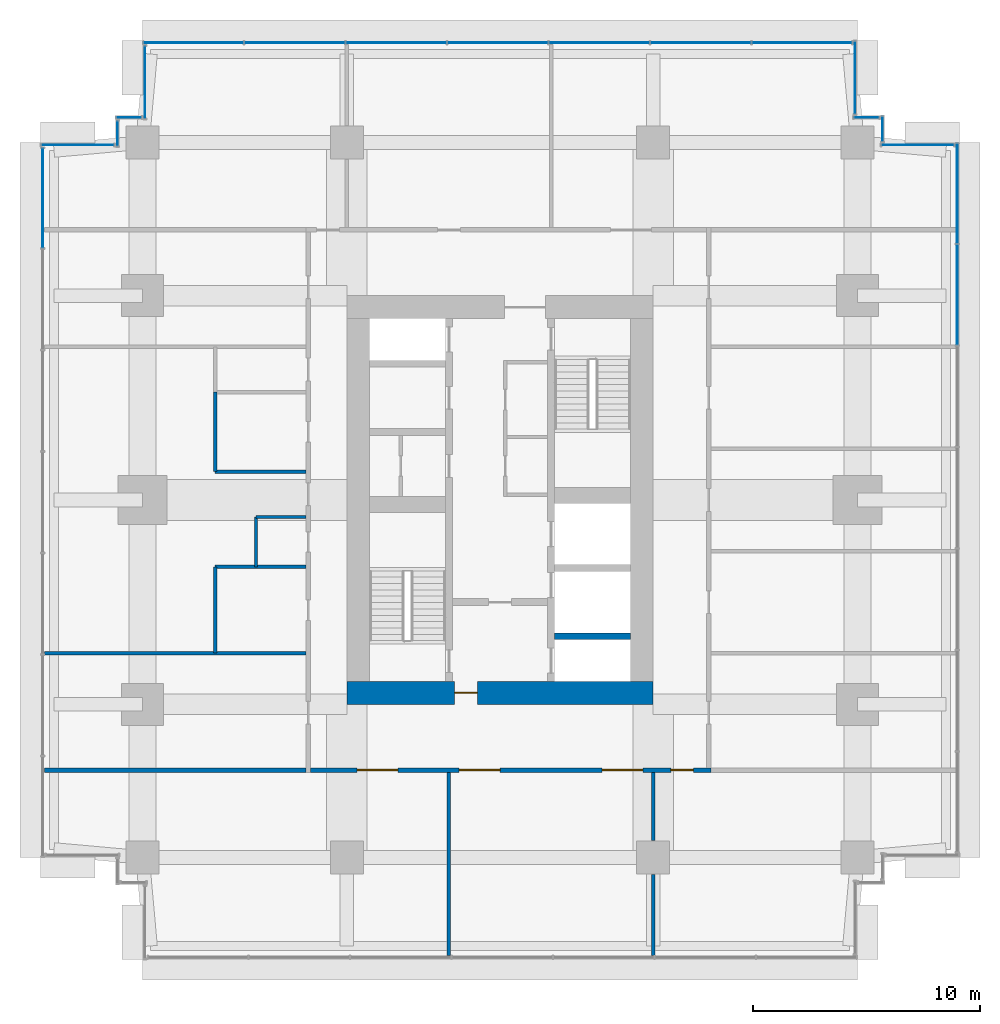
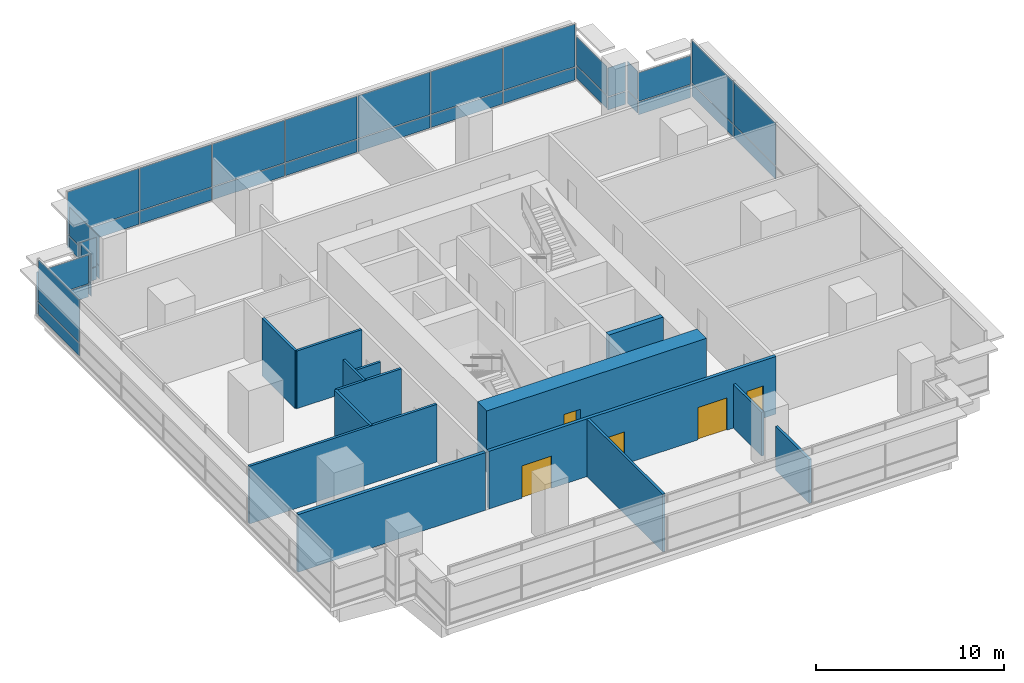
# One storey, part 11 of 14: 36 plates, 14 walls, 5 doors, 5 openings, 11 elements without a shape of their own.
"""IFC4 building model written with IfcOpenShell, lengths in metres."""

from ifc_helpers import new_model, si_unit, direction, frame, frame_2d, origin, origin_2d, place, context, subcontext, project, spatial, rectangle, extrude, material, layer, layer_set, type_object, element, fill, aggregate, save


model = new_model("IFC4")

# Units and contexts
model_context = context("Model", 3, precision=1e-05, world=origin(), true_north=direction((0.0, 1.0)))
body_context = subcontext(model_context, "Body", "Model", "MODEL_VIEW")
ifc_project = project(units=[si_unit("LENGTHUNIT", "METRE"), si_unit("AREAUNIT", "SQUARE_METRE"), si_unit("VOLUMEUNIT", "CUBIC_METRE"), si_unit("PLANEANGLEUNIT", "RADIAN"), si_unit("MASSUNIT", "GRAM", prefix="KILO")], contexts=[model_context])

# Site, building, storey
site_placement = place(None, origin())
site = spatial("IfcSite", under=ifc_project, at=site_placement, CompositionType="ELEMENT")
building_placement = place(site_placement, origin())
building = spatial("IfcBuilding", under=site, at=building_placement, Name="Namib Vertical Campus", CompositionType="ELEMENT")
storey_placement = place(building_placement, frame((0.0, 0.0, 269.0)))
storey = spatial("IfcBuildingStorey", under=building, at=storey_placement, Name="L63", CompositionType="ELEMENT", Elevation=269.0)

# Curtain wall, plates
ifc_material_1 = material(Name="Black aluminium curtain wall", Category="aluminium")
ifc_layer_1 = layer(ifc_material_1, 0.199951171875)
ifc_layer_set_1 = layer_set([ifc_layer_1], Name="Lounge bench curtain wall CW-LB")
curtain_wall_type = type_object("IfcCurtainWallType", Name="Lounge bench curtain wall CW-LB", PredefinedType="USERDEFINED", material=ifc_layer_set_1)
curtain_wall_1_placement = place(storey_placement, origin())
curtain_wall_1 = element("IfcCurtainWall", 1, at=curtain_wall_1_placement, inside=storey, type_object=curtain_wall_type, Name="Curtain wall CW-LB L63 F06-1", ObjectType="CURTAIN WALL", PredefinedType="USERDEFINED")
ifc_material_2 = material(Name="Dark tinted glass", Category="glass")
ifc_layer_2 = layer(ifc_material_2, 0.028076171875)
ifc_layer_set_2 = layer_set([ifc_layer_2], Name="Dark solar glass panel 28")
plate_type = type_object("IfcPlateType", Name="Dark solar glass panel 28", PredefinedType="CURTAIN_PANEL", material=ifc_layer_set_2)
plate_1_placement = place(storey_placement, frame((40.39990234375, 29.29296875, 0.06005859375), z_axis=(0.0, 0.0, 1.0), x_axis=(0.0, 1.0, 0.0)))
plate_1 = element("IfcPlate", 2, at=plate_1_placement, type_object=plate_type, Name="CW-LB panel 6.1", PredefinedType="CURTAIN_PANEL", context=body_context, shape_type="SweptSolid", body=[
    extrude(rectangle(XDim=4.411376953125, YDim=0.028076171875, at=origin_2d()), origin(), (0.0, 0.0, 1.0), 0.81005859375),
])
plate_2_placement = place(storey_placement, frame((40.39990234375, 29.29296875, 0.93017578125), z_axis=(0.0, 0.0, 1.0), x_axis=(0.0, 1.0, 0.0)))
plate_2 = element("IfcPlate", 3, at=plate_2_placement, type_object=plate_type, Name="CW-LB panel 6.2", PredefinedType="CURTAIN_PANEL", context=body_context, shape_type="SweptSolid", body=[
    extrude(rectangle(XDim=4.411376953125, YDim=0.028076171875, at=origin_2d()), origin(), (0.0, 0.0, 1.0), 2.760009765625),
])
plate_3_placement = place(storey_placement, frame((40.39990234375, 33.749267578125, 0.06005859375), z_axis=(0.0, 0.0, 1.0), x_axis=(0.0, 1.0, 0.0)))
plate_3 = element("IfcPlate", 4, at=plate_3_placement, type_object=plate_type, Name="CW-LB panel 7.1", PredefinedType="CURTAIN_PANEL", context=body_context, shape_type="SweptSolid", body=[
    extrude(rectangle(XDim=4.38134765625, YDim=0.028076171875, at=origin_2d()), origin(), (0.0, 0.0, 1.0), 0.81005859375),
])
plate_4_placement = place(storey_placement, frame((40.39990234375, 33.749267578125, 0.93017578125), z_axis=(0.0, 0.0, 1.0), x_axis=(0.0, 1.0, 0.0)))
plate_4 = element("IfcPlate", 5, at=plate_4_placement, type_object=plate_type, Name="CW-LB panel 7.2", PredefinedType="CURTAIN_PANEL", context=body_context, shape_type="SweptSolid", body=[
    extrude(rectangle(XDim=4.38134765625, YDim=0.028076171875, at=origin_2d()), origin(), (0.0, 0.0, 1.0), 2.760009765625),
])
aggregate(curtain_wall_1, [plate_1, plate_2, plate_3, plate_4])

curtain_wall_2_placement = place(storey_placement, origin())
curtain_wall_2 = element("IfcCurtainWall", 6, at=curtain_wall_2_placement, inside=storey, type_object=curtain_wall_type, Name="Curtain wall CW-LB L63 F07-1", ObjectType="CURTAIN WALL", PredefinedType="USERDEFINED")
plate_5_placement = place(storey_placement, frame((38.64990234375, 35.89990234375, 0.06005859375), z_axis=(0.0, 0.0, 1.0), x_axis=(-1.0, 0.0, 0.0)))
plate_5 = element("IfcPlate", 7, at=plate_5_placement, type_object=plate_type, Name="CW-LB panel 1.1", PredefinedType="CURTAIN_PANEL", context=body_context, shape_type="SweptSolid", body=[
    extrude(rectangle(XDim=3.179931640625, YDim=0.028076171875, at=origin_2d()), origin(), (0.0, 0.0, 1.0), 0.81005859375),
])
plate_6_placement = place(storey_placement, frame((38.64990234375, 35.89990234375, 0.93017578125), z_axis=(0.0, 0.0, 1.0), x_axis=(-1.0, 0.0, 0.0)))
plate_6 = element("IfcPlate", 8, at=plate_6_placement, type_object=plate_type, Name="CW-LB panel 1.2", PredefinedType="CURTAIN_PANEL", context=body_context, shape_type="SweptSolid", body=[
    extrude(rectangle(XDim=3.179931640625, YDim=0.028076171875, at=origin_2d()), origin(), (0.0, 0.0, 1.0), 1.860107421875),
])
aggregate(curtain_wall_2, [plate_5, plate_6])

curtain_wall_3_placement = place(storey_placement, origin())
curtain_wall_3 = element("IfcCurtainWall", 9, at=curtain_wall_3_placement, inside=storey, type_object=curtain_wall_type, Name="Curtain wall CW-LB L63 F08-1", ObjectType="CURTAIN WALL", PredefinedType="USERDEFINED")
plate_7_placement = place(storey_placement, frame((37.10009765625, 36.60009765625, 0.06005859375), z_axis=(0.0, 0.0, 1.0), x_axis=(0.0, 1.0, 0.0)))
plate_7 = element("IfcPlate", 10, at=plate_7_placement, type_object=plate_type, Name="CW-LB panel 1.1", PredefinedType="CURTAIN_PANEL", context=body_context, shape_type="SweptSolid", body=[
    extrude(rectangle(XDim=1.080078125, YDim=0.028076171875, at=origin_2d()), origin(), (0.0, 0.0, 1.0), 0.81005859375),
])
plate_8_placement = place(storey_placement, frame((37.10009765625, 36.60009765625, 0.93017578125), z_axis=(0.0, 0.0, 1.0), x_axis=(0.0, 1.0, 0.0)))
plate_8 = element("IfcPlate", 11, at=plate_8_placement, type_object=plate_type, Name="CW-LB panel 1.2", PredefinedType="CURTAIN_PANEL", context=body_context, shape_type="SweptSolid", body=[
    extrude(rectangle(XDim=1.080078125, YDim=0.028076171875, at=origin_2d()), origin(), (0.0, 0.0, 1.0), 1.860107421875),
])
aggregate(curtain_wall_3, [plate_7, plate_8])

curtain_wall_4_placement = place(storey_placement, origin())
curtain_wall_4 = element("IfcCurtainWall", 12, at=curtain_wall_4_placement, inside=storey, type_object=curtain_wall_type, Name="Curtain wall CW-LB L63 F09-1", ObjectType="CURTAIN WALL", PredefinedType="USERDEFINED")
plate_9_placement = place(storey_placement, frame((36.39990234375, 37.10009765625, 0.06005859375), z_axis=(0.0, 0.0, 1.0), x_axis=(-1.0, 0.0, 0.0)))
plate_9 = element("IfcPlate", 13, at=plate_9_placement, type_object=plate_type, Name="CW-LB panel 1.1", PredefinedType="CURTAIN_PANEL", context=body_context, shape_type="SweptSolid", body=[
    extrude(rectangle(XDim=1.080078125, YDim=0.028076171875, at=origin_2d()), origin(), (0.0, 0.0, 1.0), 0.81005859375),
])
plate_10_placement = place(storey_placement, frame((36.39990234375, 37.10009765625, 0.93017578125), z_axis=(0.0, 0.0, 1.0), x_axis=(-1.0, 0.0, 0.0)))
plate_10 = element("IfcPlate", 14, at=plate_10_placement, type_object=plate_type, Name="CW-LB panel 1.2", PredefinedType="CURTAIN_PANEL", context=body_context, shape_type="SweptSolid", body=[
    extrude(rectangle(XDim=1.080078125, YDim=0.028076171875, at=origin_2d()), origin(), (0.0, 0.0, 1.0), 1.860107421875),
])
aggregate(curtain_wall_4, [plate_9, plate_10])

curtain_wall_5_placement = place(storey_placement, origin())
curtain_wall_5 = element("IfcCurtainWall", 15, at=curtain_wall_5_placement, inside=storey, type_object=curtain_wall_type, Name="Curtain wall CW-LB L63 F10-1", ObjectType="CURTAIN WALL", PredefinedType="USERDEFINED")
plate_11_placement = place(storey_placement, frame((35.89990234375, 38.85009765625, 0.06005859375), z_axis=(0.0, 0.0, 1.0), x_axis=(0.0, 1.0, 0.0)))
plate_11 = element("IfcPlate", 16, at=plate_11_placement, type_object=plate_type, Name="CW-LB panel 1.1", PredefinedType="CURTAIN_PANEL", context=body_context, shape_type="SweptSolid", body=[
    extrude(rectangle(XDim=3.179931640625, YDim=0.028076171875, at=origin_2d()), origin(), (0.0, 0.0, 1.0), 0.81005859375),
])
plate_12_placement = place(storey_placement, frame((35.89990234375, 38.85009765625, 0.93017578125), z_axis=(0.0, 0.0, 1.0), x_axis=(0.0, 1.0, 0.0)))
plate_12 = element("IfcPlate", 17, at=plate_12_placement, type_object=plate_type, Name="CW-LB panel 1.2", PredefinedType="CURTAIN_PANEL", context=body_context, shape_type="SweptSolid", body=[
    extrude(rectangle(XDim=3.179931640625, YDim=0.028076171875, at=origin_2d()), origin(), (0.0, 0.0, 1.0), 1.860107421875),
])
aggregate(curtain_wall_5, [plate_11, plate_12])

curtain_wall_6_placement = place(storey_placement, origin())
curtain_wall_6 = element("IfcCurtainWall", 18, at=curtain_wall_6_placement, inside=storey, type_object=curtain_wall_type, Name="Curtain wall CW-LB L63 F11-1", ObjectType="CURTAIN WALL", PredefinedType="USERDEFINED")
plate_13_placement = place(storey_placement, frame((33.54931640625, 40.39990234375, 0.06005859375), z_axis=(0.0, 0.0, 1.0), x_axis=(-1.0, 0.0, 0.0)))
plate_13 = element("IfcPlate", 19, at=plate_13_placement, type_object=plate_type, Name="CW-LB panel 1.1", PredefinedType="CURTAIN_PANEL", context=body_context, shape_type="SweptSolid", body=[
    extrude(rectangle(XDim=4.38134765625, YDim=0.028076171875, at=origin_2d()), origin(), (0.0, 0.0, 1.0), 0.81005859375),
])
plate_14_placement = place(storey_placement, frame((33.54931640625, 40.39990234375, 0.93017578125), z_axis=(0.0, 0.0, 1.0), x_axis=(-1.0, 0.0, 0.0)))
plate_14 = element("IfcPlate", 20, at=plate_14_placement, type_object=plate_type, Name="CW-LB panel 1.2", PredefinedType="CURTAIN_PANEL", context=body_context, shape_type="SweptSolid", body=[
    extrude(rectangle(XDim=4.38134765625, YDim=0.028076171875, at=origin_2d()), origin(), (0.0, 0.0, 1.0), 2.760009765625),
])
plate_15_placement = place(storey_placement, frame((29.0927734375, 40.39990234375, 0.06005859375), z_axis=(0.0, 0.0, 1.0), x_axis=(-1.0, 0.0, 0.0)))
plate_15 = element("IfcPlate", 21, at=plate_15_placement, type_object=plate_type, Name="CW-LB panel 2.1", PredefinedType="CURTAIN_PANEL", context=body_context, shape_type="SweptSolid", body=[
    extrude(rectangle(XDim=4.411376953125, YDim=0.028076171875, at=origin_2d()), origin(), (0.0, 0.0, 1.0), 0.81005859375),
])
plate_16_placement = place(storey_placement, frame((29.0927734375, 40.39990234375, 0.93017578125), z_axis=(0.0, 0.0, 1.0), x_axis=(-1.0, 0.0, 0.0)))
plate_16 = element("IfcPlate", 22, at=plate_16_placement, type_object=plate_type, Name="CW-LB panel 2.2", PredefinedType="CURTAIN_PANEL", context=body_context, shape_type="SweptSolid", body=[
    extrude(rectangle(XDim=4.411376953125, YDim=0.028076171875, at=origin_2d()), origin(), (0.0, 0.0, 1.0), 2.760009765625),
])
plate_17_placement = place(storey_placement, frame((24.621337890625, 40.39990234375, 0.06005859375), z_axis=(0.0, 0.0, 1.0), x_axis=(-1.0, 0.0, 0.0)))
plate_17 = element("IfcPlate", 23, at=plate_17_placement, type_object=plate_type, Name="CW-LB panel 3.1", PredefinedType="CURTAIN_PANEL", context=body_context, shape_type="SweptSolid", body=[
    extrude(rectangle(XDim=4.411376953125, YDim=0.028076171875, at=origin_2d()), origin(), (0.0, 0.0, 1.0), 0.81005859375),
])
plate_18_placement = place(storey_placement, frame((24.621337890625, 40.39990234375, 0.93017578125), z_axis=(0.0, 0.0, 1.0), x_axis=(-1.0, 0.0, 0.0)))
plate_18 = element("IfcPlate", 24, at=plate_18_placement, type_object=plate_type, Name="CW-LB panel 3.2", PredefinedType="CURTAIN_PANEL", context=body_context, shape_type="SweptSolid", body=[
    extrude(rectangle(XDim=4.411376953125, YDim=0.028076171875, at=origin_2d()), origin(), (0.0, 0.0, 1.0), 2.760009765625),
])
plate_19_placement = place(storey_placement, frame((20.14990234375, 40.39990234375, 0.06005859375), z_axis=(0.0, 0.0, 1.0), x_axis=(-1.0, 0.0, 0.0)))
plate_19 = element("IfcPlate", 25, at=plate_19_placement, type_object=plate_type, Name="CW-LB panel 4.1", PredefinedType="CURTAIN_PANEL", context=body_context, shape_type="SweptSolid", body=[
    extrude(rectangle(XDim=4.411376953125, YDim=0.028076171875, at=origin_2d()), origin(), (0.0, 0.0, 1.0), 0.81005859375),
])
plate_20_placement = place(storey_placement, frame((20.14990234375, 40.39990234375, 0.93017578125), z_axis=(0.0, 0.0, 1.0), x_axis=(-1.0, 0.0, 0.0)))
plate_20 = element("IfcPlate", 26, at=plate_20_placement, type_object=plate_type, Name="CW-LB panel 4.2", PredefinedType="CURTAIN_PANEL", context=body_context, shape_type="SweptSolid", body=[
    extrude(rectangle(XDim=4.411376953125, YDim=0.028076171875, at=origin_2d()), origin(), (0.0, 0.0, 1.0), 2.760009765625),
])
plate_21_placement = place(storey_placement, frame((15.678466796875, 40.39990234375, 0.06005859375), z_axis=(0.0, 0.0, 1.0), x_axis=(-1.0, 0.0, 0.0)))
plate_21 = element("IfcPlate", 27, at=plate_21_placement, type_object=plate_type, Name="CW-LB panel 5.1", PredefinedType="CURTAIN_PANEL", context=body_context, shape_type="SweptSolid", body=[
    extrude(rectangle(XDim=4.411376953125, YDim=0.028076171875, at=origin_2d()), origin(), (0.0, 0.0, 1.0), 0.81005859375),
])
plate_22_placement = place(storey_placement, frame((15.678466796875, 40.39990234375, 0.93017578125), z_axis=(0.0, 0.0, 1.0), x_axis=(-1.0, 0.0, 0.0)))
plate_22 = element("IfcPlate", 28, at=plate_22_placement, type_object=plate_type, Name="CW-LB panel 5.2", PredefinedType="CURTAIN_PANEL", context=body_context, shape_type="SweptSolid", body=[
    extrude(rectangle(XDim=4.411376953125, YDim=0.028076171875, at=origin_2d()), origin(), (0.0, 0.0, 1.0), 2.760009765625),
])
plate_23_placement = place(storey_placement, frame((11.20703125, 40.39990234375, 0.06005859375), z_axis=(0.0, 0.0, 1.0), x_axis=(-1.0, 0.0, 0.0)))
plate_23 = element("IfcPlate", 29, at=plate_23_placement, type_object=plate_type, Name="CW-LB panel 6.1", PredefinedType="CURTAIN_PANEL", context=body_context, shape_type="SweptSolid", body=[
    extrude(rectangle(XDim=4.411376953125, YDim=0.028076171875, at=origin_2d()), origin(), (0.0, 0.0, 1.0), 0.81005859375),
])
plate_24_placement = place(storey_placement, frame((11.20703125, 40.39990234375, 0.93017578125), z_axis=(0.0, 0.0, 1.0), x_axis=(-1.0, 0.0, 0.0)))
plate_24 = element("IfcPlate", 30, at=plate_24_placement, type_object=plate_type, Name="CW-LB panel 6.2", PredefinedType="CURTAIN_PANEL", context=body_context, shape_type="SweptSolid", body=[
    extrude(rectangle(XDim=4.411376953125, YDim=0.028076171875, at=origin_2d()), origin(), (0.0, 0.0, 1.0), 2.760009765625),
])
plate_25_placement = place(storey_placement, frame((6.750732421875, 40.39990234375, 0.06005859375), z_axis=(0.0, 0.0, 1.0), x_axis=(-1.0, 0.0, 0.0)))
plate_25 = element("IfcPlate", 31, at=plate_25_placement, type_object=plate_type, Name="CW-LB panel 7.1", PredefinedType="CURTAIN_PANEL", context=body_context, shape_type="SweptSolid", body=[
    extrude(rectangle(XDim=4.38134765625, YDim=0.028076171875, at=origin_2d()), origin(), (0.0, 0.0, 1.0), 0.81005859375),
])
plate_26_placement = place(storey_placement, frame((6.750732421875, 40.39990234375, 0.93017578125), z_axis=(0.0, 0.0, 1.0), x_axis=(-1.0, 0.0, 0.0)))
plate_26 = element("IfcPlate", 32, at=plate_26_placement, type_object=plate_type, Name="CW-LB panel 7.2", PredefinedType="CURTAIN_PANEL", context=body_context, shape_type="SweptSolid", body=[
    extrude(rectangle(XDim=4.38134765625, YDim=0.028076171875, at=origin_2d()), origin(), (0.0, 0.0, 1.0), 2.760009765625),
])
aggregate(curtain_wall_6, [plate_13, plate_14, plate_15, plate_16, plate_17, plate_18, plate_19, plate_20, plate_21, plate_22, plate_23, plate_24, plate_25, plate_26])

curtain_wall_7_placement = place(storey_placement, origin())
curtain_wall_7 = element("IfcCurtainWall", 33, at=curtain_wall_7_placement, inside=storey, type_object=curtain_wall_type, Name="Curtain wall CW-LB L63 F12-1", ObjectType="CURTAIN WALL", PredefinedType="USERDEFINED")
plate_27_placement = place(storey_placement, frame((4.60009765625, 38.64990234375, 0.06005859375), z_axis=(0.0, 0.0, 1.0), x_axis=(0.0, -1.0, 0.0)))
plate_27 = element("IfcPlate", 34, at=plate_27_placement, type_object=plate_type, Name="CW-LB panel 1.1", PredefinedType="CURTAIN_PANEL", context=body_context, shape_type="SweptSolid", body=[
    extrude(rectangle(XDim=3.179931640625, YDim=0.028076171875, at=origin_2d()), origin(), (0.0, 0.0, 1.0), 0.81005859375),
])
plate_28_placement = place(storey_placement, frame((4.60009765625, 38.64990234375, 0.93017578125), z_axis=(0.0, 0.0, 1.0), x_axis=(0.0, -1.0, 0.0)))
plate_28 = element("IfcPlate", 35, at=plate_28_placement, type_object=plate_type, Name="CW-LB panel 1.2", PredefinedType="CURTAIN_PANEL", context=body_context, shape_type="SweptSolid", body=[
    extrude(rectangle(XDim=3.179931640625, YDim=0.028076171875, at=origin_2d()), origin(), (0.0, 0.0, 1.0), 1.860107421875),
])
aggregate(curtain_wall_7, [plate_27, plate_28])

curtain_wall_8_placement = place(storey_placement, origin())
curtain_wall_8 = element("IfcCurtainWall", 36, at=curtain_wall_8_placement, inside=storey, type_object=curtain_wall_type, Name="Curtain wall CW-LB L63 F13-1", ObjectType="CURTAIN WALL", PredefinedType="USERDEFINED")
plate_29_placement = place(storey_placement, frame((3.89990234375, 37.10009765625, 0.06005859375), z_axis=(0.0, 0.0, 1.0), x_axis=(-1.0, 0.0, 0.0)))
plate_29 = element("IfcPlate", 37, at=plate_29_placement, type_object=plate_type, Name="CW-LB panel 1.1", PredefinedType="CURTAIN_PANEL", context=body_context, shape_type="SweptSolid", body=[
    extrude(rectangle(XDim=1.080078125, YDim=0.028076171875, at=origin_2d()), origin(), (0.0, 0.0, 1.0), 0.81005859375),
])
plate_30_placement = place(storey_placement, frame((3.89990234375, 37.10009765625, 0.93017578125), z_axis=(0.0, 0.0, 1.0), x_axis=(-1.0, 0.0, 0.0)))
plate_30 = element("IfcPlate", 38, at=plate_30_placement, type_object=plate_type, Name="CW-LB panel 1.2", PredefinedType="CURTAIN_PANEL", context=body_context, shape_type="SweptSolid", body=[
    extrude(rectangle(XDim=1.080078125, YDim=0.028076171875, at=origin_2d()), origin(), (0.0, 0.0, 1.0), 1.860107421875),
])
aggregate(curtain_wall_8, [plate_29, plate_30])

curtain_wall_9_placement = place(storey_placement, origin())
curtain_wall_9 = element("IfcCurtainWall", 39, at=curtain_wall_9_placement, inside=storey, type_object=curtain_wall_type, Name="Curtain wall CW-LB L63 F14-1", ObjectType="CURTAIN WALL", PredefinedType="USERDEFINED")
plate_31_placement = place(storey_placement, frame((3.39990234375, 36.39990234375, 0.06005859375), z_axis=(0.0, 0.0, 1.0), x_axis=(0.0, -1.0, 0.0)))
plate_31 = element("IfcPlate", 40, at=plate_31_placement, type_object=plate_type, Name="CW-LB panel 1.1", PredefinedType="CURTAIN_PANEL", context=body_context, shape_type="SweptSolid", body=[
    extrude(rectangle(XDim=1.080078125, YDim=0.028076171875, at=origin_2d()), origin(), (0.0, 0.0, 1.0), 0.81005859375),
])
plate_32_placement = place(storey_placement, frame((3.39990234375, 36.39990234375, 0.93017578125), z_axis=(0.0, 0.0, 1.0), x_axis=(0.0, -1.0, 0.0)))
plate_32 = element("IfcPlate", 41, at=plate_32_placement, type_object=plate_type, Name="CW-LB panel 1.2", PredefinedType="CURTAIN_PANEL", context=body_context, shape_type="SweptSolid", body=[
    extrude(rectangle(XDim=1.080078125, YDim=0.028076171875, at=origin_2d()), origin(), (0.0, 0.0, 1.0), 1.860107421875),
])
aggregate(curtain_wall_9, [plate_31, plate_32])

curtain_wall_10_placement = place(storey_placement, origin())
curtain_wall_10 = element("IfcCurtainWall", 42, at=curtain_wall_10_placement, inside=storey, type_object=curtain_wall_type, Name="Curtain wall CW-LB L63 F15-1", ObjectType="CURTAIN WALL", PredefinedType="USERDEFINED")
plate_33_placement = place(storey_placement, frame((1.64990234375, 35.89990234375, 0.06005859375), z_axis=(0.0, 0.0, 1.0), x_axis=(-1.0, 0.0, 0.0)))
plate_33 = element("IfcPlate", 43, at=plate_33_placement, type_object=plate_type, Name="CW-LB panel 1.1", PredefinedType="CURTAIN_PANEL", context=body_context, shape_type="SweptSolid", body=[
    extrude(rectangle(XDim=3.179931640625, YDim=0.028076171875, at=origin_2d()), origin(), (0.0, 0.0, 1.0), 0.81005859375),
])
plate_34_placement = place(storey_placement, frame((1.64990234375, 35.89990234375, 0.93017578125), z_axis=(0.0, 0.0, 1.0), x_axis=(-1.0, 0.0, 0.0)))
plate_34 = element("IfcPlate", 44, at=plate_34_placement, type_object=plate_type, Name="CW-LB panel 1.2", PredefinedType="CURTAIN_PANEL", context=body_context, shape_type="SweptSolid", body=[
    extrude(rectangle(XDim=3.179931640625, YDim=0.028076171875, at=origin_2d()), origin(), (0.0, 0.0, 1.0), 1.860107421875),
])
aggregate(curtain_wall_10, [plate_33, plate_34])

curtain_wall_11_placement = place(storey_placement, origin())
curtain_wall_11 = element("IfcCurtainWall", 45, at=curtain_wall_11_placement, inside=storey, type_object=curtain_wall_type, Name="Curtain wall CW-LB L63 F16-1", ObjectType="CURTAIN WALL", PredefinedType="USERDEFINED")
plate_35_placement = place(storey_placement, frame((0.10009765625, 33.54931640625, 0.06005859375), z_axis=(0.0, 0.0, 1.0), x_axis=(0.0, -1.0, 0.0)))
plate_35 = element("IfcPlate", 46, at=plate_35_placement, type_object=plate_type, Name="CW-LB panel 1.1", PredefinedType="CURTAIN_PANEL", context=body_context, shape_type="SweptSolid", body=[
    extrude(rectangle(XDim=4.38134765625, YDim=0.028076171875, at=origin_2d()), origin(), (0.0, 0.0, 1.0), 0.81005859375),
])
plate_36_placement = place(storey_placement, frame((0.10009765625, 33.54931640625, 0.93017578125), z_axis=(0.0, 0.0, 1.0), x_axis=(0.0, -1.0, 0.0)))
plate_36 = element("IfcPlate", 47, at=plate_36_placement, type_object=plate_type, Name="CW-LB panel 1.2", PredefinedType="CURTAIN_PANEL", context=body_context, shape_type="SweptSolid", body=[
    extrude(rectangle(XDim=4.38134765625, YDim=0.028076171875, at=origin_2d()), origin(), (0.0, 0.0, 1.0), 2.760009765625),
])
aggregate(curtain_wall_11, [plate_35, plate_36])

# Wall
ifc_material_3 = material(Name="Concrete C60/75", Category="concrete")
ifc_layer_3 = layer(ifc_material_3, 0.300048828125)
ifc_layer_set_3 = layer_set([ifc_layer_3], Name="Concrete C60/75")
wall_type_1 = type_object("IfcWallType", Name="Core inner wall 300", PredefinedType="SHEAR", material=ifc_layer_set_3)
wall_1_placement = place(storey_placement, frame((22.64990234375, 14.25, 0.0), z_axis=(0.0, 0.0, 1.0), x_axis=(1.0, 0.0, 0.0)))
element("IfcWall", 48, at=wall_1_placement, inside=storey, type_object=wall_type_1, Name="Core inner wall A L63 W5", PredefinedType="SHEAR", context=body_context, shape_type="SweptSolid", body=[
    extrude(rectangle(XDim=3.35009765625, YDim=0.300048828125, at=frame_2d((1.675048828125, 0.0))), origin(), (0.0, 0.0, 1.0), 4.0),
])

# Wall, opening, door
ifc_material_4 = material(Name="Concrete C60/75", Category="concrete")
ifc_layer_4 = layer(ifc_material_4, 1.0)
ifc_layer_set_4 = layer_set([ifc_layer_4], Name="Concrete C60/75")
wall_type_2 = type_object("IfcWallType", Name="Core wall 1000", PredefinedType="SHEAR", material=ifc_layer_set_4)
wall_2_placement = place(storey_placement, frame((13.5, 11.75, 0.0), z_axis=(0.0, 0.0, 1.0), x_axis=(1.0, 0.0, 0.0)))
wall_2 = element("IfcWall", 49, at=wall_2_placement, inside=storey, type_object=wall_type_2, Name="Core wall A L63 1", PredefinedType="SHEAR", context=body_context, shape_type="SweptSolid", body=[
    extrude(rectangle(XDim=13.5, YDim=1.0, at=frame_2d((6.75, 0.0))), origin(), (0.0, 0.0, 1.0), 4.0),
])
opening_1_placement = place(wall_2_placement, frame((4.75, 0.0, 0.0)))
opening_1 = element("IfcOpeningElement", 50, at=opening_1_placement, cuts=wall_2, Name="Opening FD5", PredefinedType="OPENING", context=body_context, shape_type="SweptSolid", body=[
    extrude(rectangle(XDim=1.0, YDim=2.10009765625, at=frame_2d((0.5, 1.050048828125))), frame((0.0, 0.510009765625, 0.0), z_axis=(0.0, -1.0, 0.0), x_axis=(1.0, 0.0, 0.0)), (0.0, 0.0, 1.0), 1.02001953125),
])
ifc_material_5 = material(Name="Steel fire door", Category="steel")
door_type_1 = type_object("IfcDoorType", Name="Fire door 1000x2100 120 min", OperationType="SINGLE_SWING_RIGHT", PredefinedType="DOOR", material=ifc_material_5)
door_1_placement = place(opening_1_placement, origin())
door_1 = element("IfcDoor", 51, at=door_1_placement, inside=storey, type_object=door_type_1, Name="Firefighting lobby door FD5 A L63", OperationType="SINGLE_SWING_LEFT", OverallHeight=2.10009765625, OverallWidth=1.0, PredefinedType="DOOR", context=body_context, shape_type="SweptSolid", body=[
    extrude(rectangle(XDim=1.0, YDim=2.10009765625, at=frame_2d((0.5, 1.050048828125))), frame((0.0, 0.02490234375, 0.0), z_axis=(0.0, -1.0, 0.0), x_axis=(1.0, 0.0, 0.0)), (0.0, 0.0, 1.0), 0.050048828125),
])
fill(opening_1, door_1)

# Wall, openings, doors
ifc_material_6 = material(Name="Concrete masonry", Category="masonry")
ifc_layer_5 = layer(ifc_material_6, 0.199951171875)
ifc_layer_set_5 = layer_set([ifc_layer_5], Name="Corridor wall 200")
wall_type_3 = type_object("IfcWallType", Name="Corridor wall 200", PredefinedType="SOLIDWALL", material=ifc_layer_set_5)
wall_3_placement = place(storey_placement, frame((11.89990234375, 8.35009765625, 0.0), z_axis=(0.0, 0.0, 1.0), x_axis=(1.0, 0.0, 0.0)))
wall_3 = element("IfcWall", 52, at=wall_3_placement, inside=storey, type_object=wall_type_3, Name="Corridor wall A L63 CS", PredefinedType="SOLIDWALL", context=body_context, shape_type="SweptSolid", body=[
    extrude(rectangle(XDim=17.650146484375, YDim=0.199951171875, at=frame_2d((8.8251953125, 0.0))), origin(), (0.0, 0.0, 1.0), 3.75),
])
opening_2_placement = place(wall_3_placement, frame((2.050048828125, 0.0, 0.0)))
opening_2 = element("IfcOpeningElement", 53, at=opening_2_placement, cuts=wall_3, Name="Opening CD2", PredefinedType="OPENING", context=body_context, shape_type="SweptSolid", body=[
    extrude(rectangle(XDim=1.800048828125, YDim=2.10009765625, at=frame_2d((0.89990234375, 1.050048828125))), frame((0.0, 0.10986328125, 0.0), z_axis=(0.0, -1.0, 0.0), x_axis=(1.0, 0.0, 0.0)), (0.0, 0.0, 1.0), 0.219970703125),
])
opening_3_placement = place(wall_3_placement, frame((6.550048828125, 0.0, 0.0)))
opening_3 = element("IfcOpeningElement", 54, at=opening_3_placement, cuts=wall_3, Name="Opening CD2", PredefinedType="OPENING", context=body_context, shape_type="SweptSolid", body=[
    extrude(rectangle(XDim=1.800048828125, YDim=2.10009765625, at=frame_2d((0.89990234375, 1.050048828125))), frame((0.0, 0.10986328125, 0.0), z_axis=(0.0, -1.0, 0.0), x_axis=(1.0, 0.0, 0.0)), (0.0, 0.0, 1.0), 0.219970703125),
])
opening_4_placement = place(wall_3_placement, frame((12.85009765625, 0.0, 0.0)))
opening_4 = element("IfcOpeningElement", 55, at=opening_4_placement, cuts=wall_3, Name="Opening CD2", PredefinedType="OPENING", context=body_context, shape_type="SweptSolid", body=[
    extrude(rectangle(XDim=1.800048828125, YDim=2.10009765625, at=frame_2d((0.89990234375, 1.050048828125))), frame((0.0, 0.10986328125, 0.0), z_axis=(0.0, -1.0, 0.0), x_axis=(1.0, 0.0, 0.0)), (0.0, 0.0, 1.0), 0.219970703125),
])
opening_5_placement = place(wall_3_placement, frame((15.875, 0.0, 0.0)))
opening_5 = element("IfcOpeningElement", 56, at=opening_5_placement, cuts=wall_3, Name="Opening CD1", PredefinedType="OPENING", context=body_context, shape_type="SweptSolid", body=[
    extrude(rectangle(XDim=1.0, YDim=2.10009765625, at=frame_2d((0.5, 1.050048828125))), frame((0.0, 0.10986328125, 0.0), z_axis=(0.0, -1.0, 0.0), x_axis=(1.0, 0.0, 0.0)), (0.0, 0.0, 1.0), 0.219970703125),
])
ifc_material_7 = material(Name="Timber fire door leaf", Category="wood")
door_type_2 = type_object("IfcDoorType", Name="Corridor door 1000x2100 20 min", OperationType="SINGLE_SWING_LEFT", PredefinedType="DOOR", material=ifc_material_7)
door_2_placement = place(opening_5_placement, frame((1.0, 0.0, 0.0), z_axis=(0.0, 0.0, 1.0), x_axis=(-1.0, 0.0, 0.0)))
door_2 = element("IfcDoor", 57, at=door_2_placement, inside=storey, type_object=door_type_2, Name="Door CD1 A63-03", OperationType="SINGLE_SWING_RIGHT", OverallHeight=2.10009765625, OverallWidth=1.0, PredefinedType="DOOR", context=body_context, shape_type="SweptSolid", body=[
    extrude(rectangle(XDim=1.0, YDim=2.10009765625, at=frame_2d((0.5, 1.050048828125))), frame((0.0, 0.02490234375, 0.0), z_axis=(0.0, -1.0, 0.0), x_axis=(1.0, 0.0, 0.0)), (0.0, 0.0, 1.0), 0.050048828125),
])
fill(opening_5, door_2)
ifc_material_8 = material(Name="Timber fire door leaf", Category="wood")
door_type_3 = type_object("IfcDoorType", Name="Corridor door double 1800x2100 20 min", OperationType="DOUBLE_DOOR_SINGLE_SWING", PredefinedType="DOOR", material=ifc_material_8)
door_3_placement = place(opening_2_placement, frame((1.800048828125, 0.0, 0.0), z_axis=(0.0, 0.0, 1.0), x_axis=(-1.0, 0.0, 0.0)))
door_3 = element("IfcDoor", 58, at=door_3_placement, inside=storey, type_object=door_type_3, Name="Door CD2 A63-01", OperationType="DOUBLE_DOOR_SINGLE_SWING", OverallHeight=2.10009765625, OverallWidth=1.800048828125, PredefinedType="DOOR", context=body_context, shape_type="SweptSolid", body=[
    extrude(rectangle(XDim=1.800048828125, YDim=2.10009765625, at=frame_2d((0.89990234375, 1.050048828125))), frame((0.0, 0.02490234375, 0.0), z_axis=(0.0, -1.0, 0.0), x_axis=(1.0, 0.0, 0.0)), (0.0, 0.0, 1.0), 0.050048828125),
])
fill(opening_2, door_3)
door_4_placement = place(opening_3_placement, frame((1.800048828125, 0.0, 0.0), z_axis=(0.0, 0.0, 1.0), x_axis=(-1.0, 0.0, 0.0)))
door_4 = element("IfcDoor", 59, at=door_4_placement, inside=storey, type_object=door_type_3, Name="Door CD2 A63-02", OperationType="DOUBLE_DOOR_SINGLE_SWING", OverallHeight=2.10009765625, OverallWidth=1.800048828125, PredefinedType="DOOR", context=body_context, shape_type="SweptSolid", body=[
    extrude(rectangle(XDim=1.800048828125, YDim=2.10009765625, at=frame_2d((0.89990234375, 1.050048828125))), frame((0.0, 0.02490234375, 0.0), z_axis=(0.0, -1.0, 0.0), x_axis=(1.0, 0.0, 0.0)), (0.0, 0.0, 1.0), 0.050048828125),
])
fill(opening_3, door_4)
door_5_placement = place(opening_4_placement, frame((1.800048828125, 0.0, 0.0), z_axis=(0.0, 0.0, 1.0), x_axis=(-1.0, 0.0, 0.0)))
door_5 = element("IfcDoor", 60, at=door_5_placement, inside=storey, type_object=door_type_3, Name="Door CD2 A63-02 2", OperationType="DOUBLE_DOOR_SINGLE_SWING", OverallHeight=2.10009765625, OverallWidth=1.800048828125, PredefinedType="DOOR", context=body_context, shape_type="SweptSolid", body=[
    extrude(rectangle(XDim=1.800048828125, YDim=2.10009765625, at=frame_2d((0.89990234375, 1.050048828125))), frame((0.0, 0.02490234375, 0.0), z_axis=(0.0, -1.0, 0.0), x_axis=(1.0, 0.0, 0.0)), (0.0, 0.0, 1.0), 0.050048828125),
])
fill(opening_4, door_5)

# Walls
wall_4_placement = place(storey_placement, frame((0.179931640625, 8.35009765625, 0.0), z_axis=(0.0, 0.0, 1.0), x_axis=(1.0, 0.0, 0.0)))
element("IfcWall", 61, at=wall_4_placement, inside=storey, type_object=wall_type_3, Name="Partition A L63 BSW", PredefinedType="SOLIDWALL", context=body_context, shape_type="SweptSolid", body=[
    extrude(rectangle(XDim=11.52001953125, YDim=0.199951171875, at=frame_2d((5.760009765625, 0.0))), origin(), (0.0, 0.0, 1.0), 3.75),
])
ifc_material_9 = material(Name="Gypsum board on steel studs", Category="steel")
ifc_layer_6 = layer(ifc_material_9, 0.14990234375)
ifc_layer_set_6 = layer_set([ifc_layer_6], Name="Gypsum board on steel studs")
wall_type_4 = type_object("IfcWallType", Name="Partition 150", PredefinedType="PARTITIONING", material=ifc_layer_set_6)
wall_5_placement = place(storey_placement, frame((18.0, 0.179931640625, 0.0), z_axis=(0.0, 0.0, 1.0), x_axis=(0.0, 1.0, 0.0)))
element("IfcWall", 62, at=wall_5_placement, inside=storey, type_object=wall_type_4, Name="Partition A L63 PS1", PredefinedType="PARTITIONING", context=body_context, shape_type="SweptSolid", body=[
    extrude(rectangle(XDim=8.070068359375, YDim=0.14990234375, at=frame_2d((4.03515625, 0.0))), origin(), (0.0, 0.0, 1.0), 3.75),
])
wall_6_placement = place(storey_placement, frame((27.0, 0.179931640625, 0.0), z_axis=(0.0, 0.0, 1.0), x_axis=(0.0, 1.0, 0.0)))
element("IfcWall", 63, at=wall_6_placement, inside=storey, type_object=wall_type_4, Name="Partition A L63 PS2", PredefinedType="PARTITIONING", context=body_context, shape_type="SweptSolid", body=[
    extrude(rectangle(XDim=3.574951171875, YDim=0.14990234375, at=frame_2d((1.78759765625, 0.0))), origin(), (0.0, 0.0, 1.0), 2.85009765625),
])
wall_7_placement = place(storey_placement, frame((27.0, 5.2451171875, 0.0), z_axis=(0.0, 0.0, 1.0), x_axis=(0.0, 1.0, 0.0)))
element("IfcWall", 64, at=wall_7_placement, inside=storey, type_object=wall_type_4, Name="Partition A L63 PS2", PredefinedType="PARTITIONING", context=body_context, shape_type="SweptSolid", body=[
    extrude(rectangle(XDim=3.0048828125, YDim=0.14990234375, at=frame_2d((1.50244140625, 0.0))), origin(), (0.0, 0.0, 1.0), 2.85009765625),
])
wall_8_placement = place(storey_placement, frame((0.179931640625, 13.5, 0.0), z_axis=(0.0, 0.0, 1.0), x_axis=(1.0, 0.0, 0.0)))
element("IfcWall", 65, at=wall_8_placement, inside=storey, type_object=wall_type_4, Name="Partition A L63 PW1", PredefinedType="PARTITIONING", context=body_context, shape_type="SweptSolid", body=[
    extrude(rectangle(XDim=11.52001953125, YDim=0.14990234375, at=frame_2d((5.760009765625, 0.0))), origin(), (0.0, 0.0, 1.0), 3.75),
])
wall_9_placement = place(storey_placement, frame((11.699951171875, 17.300048828125, 0.0), z_axis=(0.0, 0.0, 1.0), x_axis=(-1.0, 0.0, 0.0)))
element("IfcWall", 66, at=wall_9_placement, inside=storey, type_object=wall_type_4, Name="Partition A L63 WR1", PredefinedType="PARTITIONING", context=body_context, shape_type="SweptSolid", body=[
    extrude(rectangle(XDim=4.0, YDim=0.14990234375, at=frame_2d((2.0, 0.0))), origin(), (0.0, 0.0, 1.0), 3.75),
])
wall_10_placement = place(storey_placement, frame((11.699951171875, 19.5, 0.0), z_axis=(0.0, 0.0, 1.0), x_axis=(-1.0, 0.0, 0.0)))
element("IfcWall", 67, at=wall_10_placement, inside=storey, type_object=wall_type_4, Name="Partition A L63 WR2", PredefinedType="PARTITIONING", context=body_context, shape_type="SweptSolid", body=[
    extrude(rectangle(XDim=2.199951171875, YDim=0.14990234375, at=frame_2d((1.10009765625, 0.0))), origin(), (0.0, 0.0, 1.0), 2.85009765625),
])
wall_11_placement = place(storey_placement, frame((11.699951171875, 21.5, 0.0), z_axis=(0.0, 0.0, 1.0), x_axis=(-1.0, 0.0, 0.0)))
element("IfcWall", 68, at=wall_11_placement, inside=storey, type_object=wall_type_4, Name="Partition A L63 WR3", PredefinedType="PARTITIONING", context=body_context, shape_type="SweptSolid", body=[
    extrude(rectangle(XDim=4.0, YDim=0.14990234375, at=frame_2d((2.0, 0.0))), origin(), (0.0, 0.0, 1.0), 3.75),
])
wall_12_placement = place(storey_placement, frame((7.699951171875, 13.5, 0.0), z_axis=(0.0, 0.0, 1.0), x_axis=(0.0, 1.0, 0.0)))
element("IfcWall", 69, at=wall_12_placement, inside=storey, type_object=wall_type_4, Name="Partition A L63 WB1", PredefinedType="PARTITIONING", context=body_context, shape_type="SweptSolid", body=[
    extrude(rectangle(XDim=3.800048828125, YDim=0.14990234375, at=frame_2d((1.89990234375, 0.0))), origin(), (0.0, 0.0, 1.0), 3.75),
])
wall_13_placement = place(storey_placement, frame((9.5, 17.300048828125, 0.0), z_axis=(0.0, 0.0, 1.0), x_axis=(0.0, 1.0, 0.0)))
element("IfcWall", 70, at=wall_13_placement, inside=storey, type_object=wall_type_4, Name="Partition A L63 WB2", PredefinedType="PARTITIONING", context=body_context, shape_type="SweptSolid", body=[
    extrude(rectangle(XDim=2.199951171875, YDim=0.14990234375, at=frame_2d((1.10009765625, 0.0))), origin(), (0.0, 0.0, 1.0), 3.75),
])
wall_14_placement = place(storey_placement, frame((7.699951171875, 21.5, 0.0), z_axis=(0.0, 0.0, 1.0), x_axis=(0.0, 1.0, 0.0)))
element("IfcWall", 71, at=wall_14_placement, inside=storey, type_object=wall_type_4, Name="Partition A L63 WB3", PredefinedType="PARTITIONING", context=body_context, shape_type="SweptSolid", body=[
    extrude(rectangle(XDim=3.5, YDim=0.14990234375, at=frame_2d((1.75, 0.0))), origin(), (0.0, 0.0, 1.0), 3.75),
])

save(model, "model.ifc")
